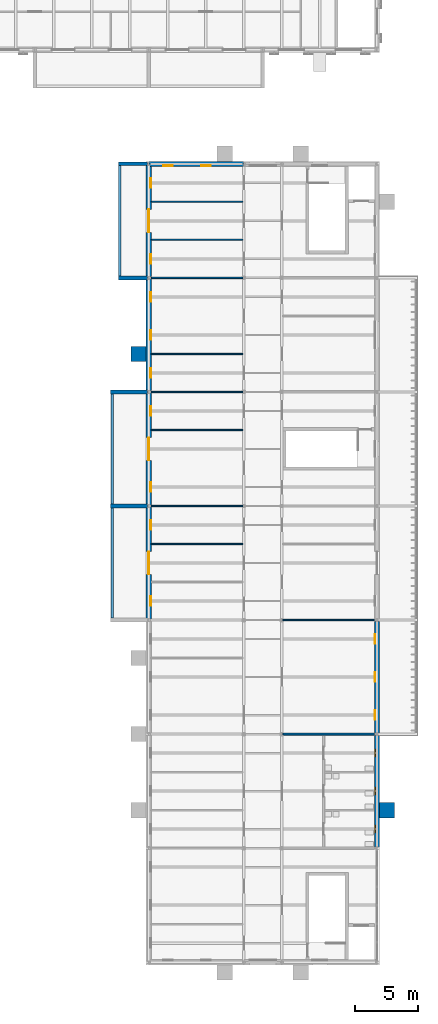
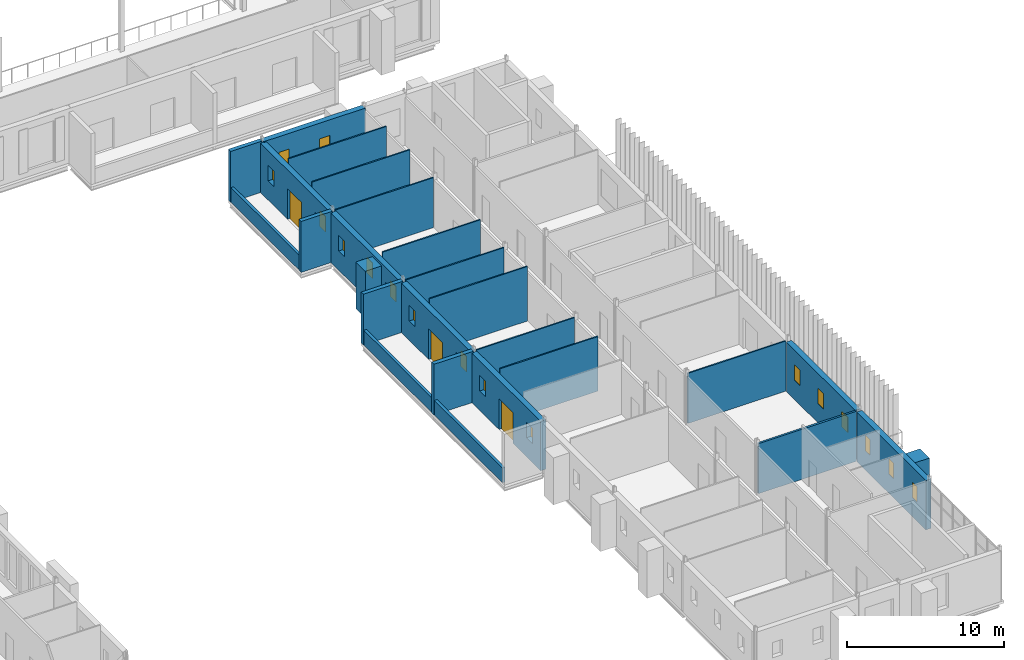
# One storey, part 91 of 131: 26 walls, 17 windows, 3 doors, 20 openings.
"""IFC4 building model written with IfcOpenShell, lengths in metres."""

from ifc_helpers import new_model, si_unit, direction, frame, frame_2d, origin, place, context, subcontext, project, spatial, rectangle, extrude, material, layer, layer_set, type_object, element, fill, save


model = new_model("IFC4")

# Units and contexts
model_context = context("Model", 3, precision=1e-05, world=origin(), true_north=direction((0.0, 1.0)))
body_context = subcontext(model_context, "Body", "Model", "MODEL_VIEW")
ifc_project = project(units=[si_unit("LENGTHUNIT", "METRE"), si_unit("AREAUNIT", "SQUARE_METRE"), si_unit("VOLUMEUNIT", "CUBIC_METRE"), si_unit("PLANEANGLEUNIT", "RADIAN"), si_unit("MASSUNIT", "GRAM", prefix="KILO")], contexts=[model_context])

# Site, building, storey
site_placement = place(None, origin())
site = spatial("IfcSite", under=ifc_project, at=site_placement, CompositionType="ELEMENT")
building_placement = place(site_placement, origin())
building = spatial("IfcBuilding", under=site, at=building_placement, Name="Golden Quay Civic Hall", CompositionType="ELEMENT")
storey_placement = place(building_placement, frame((0.0, 0.0, 9.89990234375)))
storey = spatial("IfcBuildingStorey", under=building, at=storey_placement, Name="L02", CompositionType="ELEMENT", Elevation=9.89990234375)

# Walls
ifc_material_1 = material(Name="Brick, dark clay facing", Category="masonry")
ifc_layer_1 = layer(ifc_material_1, 0.199951171875)
ifc_layer_set_1 = layer_set([ifc_layer_1], Name="Brick balustrade wall 200")
wall_type_1 = type_object("IfcWallType", Name="Brick balustrade wall 200", PredefinedType="STANDARD", material=ifc_layer_set_1)
for number, where, z_axis, x_axis, name in (
    (1, (150.1201171875, 18.14990234375, 0.0), (0.0, 0.0, 1.0), (0.0, 1.0, 0.0), "Brick balustrade wall 200 L02 4"),
    (2, (150.1201171875, 27.14990234375, 0.0), (0.0, 0.0, 1.0), (0.0, 1.0, 0.0), "Brick balustrade wall 200 L02 5"),
    (3, (150.719970703125, 45.14990234375, 0.0), (0.0, 0.0, 1.0), (0.0, 1.0, 0.0), "Brick balustrade wall 200 L02 6"),
):
    element("IfcWall", number, at=place(storey_placement, frame(where, z_axis=z_axis, x_axis=x_axis)), inside=storey, type_object=wall_type_1, Name=name, PredefinedType="STANDARD", context=body_context, shape_type="SweptSolid", body=[
        extrude(rectangle(XDim=8.7001953125, YDim=0.199951171875, at=frame_2d((4.35009765625, 0.0))), origin(), (0.0, 0.0, 1.0), 1.150146484375),
    ])

# Wall, openings, windows, door
ifc_material_2 = material(Name="Brick, dark clay facing", Category="masonry")
ifc_layer_2 = layer(ifc_material_2, 0.39990234375)
ifc_layer_set_2 = layer_set([ifc_layer_2], Name="Brick external wall 400")
wall_type_2 = type_object("IfcWallType", Name="Brick external wall 400", PredefinedType="STANDARD", material=ifc_layer_set_2)
wall_1_placement = place(storey_placement, frame((153.0, 18.094970703125, 0.0), z_axis=(0.0, 0.0, 1.0), x_axis=(0.0, 1.0, 0.0)))
wall_1 = element("IfcWall", 4, at=wall_1_placement, inside=storey, type_object=wall_type_2, Name="Brick external wall 400 L02 14", PredefinedType="STANDARD", context=body_context, shape_type="SweptSolid", body=[
    extrude(rectangle(XDim=8.81005859375, YDim=0.39990234375, at=frame_2d((4.405029296875, 0.0))), origin(), (0.0, 0.0, 1.0), 3.85009765625),
])
opening_1_placement = place(wall_1_placement, frame((3.5048828125, 0.0, 0.0)))
opening_1 = element("IfcOpeningElement", 5, at=opening_1_placement, cuts=wall_1, Name="Opening L02-D004", PredefinedType="OPENING", context=body_context, shape_type="SweptSolid", body=[
    extrude(rectangle(XDim=1.800048828125, YDim=2.39990234375, at=frame_2d((0.89990234375, 1.199951171875))), frame((0.0, 0.2099609375, 0.0), z_axis=(0.0, -1.0, 0.0), x_axis=(1.0, 0.0, 0.0)), (0.0, 0.0, 1.0), 0.419921875),
])
opening_2_placement = place(wall_1_placement, frame((1.030029296875, 0.0, 1.5)))
opening_2 = element("IfcOpeningElement", 6, at=opening_2_placement, cuts=wall_1, Name="Opening WN11", PredefinedType="OPENING", context=body_context, shape_type="SweptSolid", body=[
    extrude(rectangle(XDim=0.75, YDim=1.199951171875, at=frame_2d((0.375, 0.60009765625))), frame((0.0, 0.2099609375, 0.0), z_axis=(0.0, -1.0, 0.0), x_axis=(1.0, 0.0, 0.0)), (0.0, 0.0, 1.0), 0.419921875),
])
opening_3_placement = place(wall_1_placement, frame((7.030029296875, 0.0, 1.5)))
opening_3 = element("IfcOpeningElement", 7, at=opening_3_placement, cuts=wall_1, Name="Opening WN11", PredefinedType="OPENING", context=body_context, shape_type="SweptSolid", body=[
    extrude(rectangle(XDim=0.75, YDim=1.199951171875, at=frame_2d((0.375, 0.60009765625))), frame((0.0, 0.2099609375, 0.0), z_axis=(0.0, -1.0, 0.0), x_axis=(1.0, 0.0, 0.0)), (0.0, 0.0, 1.0), 0.419921875),
])
ifc_material_3 = material(Name="Aluminium frame, double glazed", Category="aluminium")
window_type_1 = type_object("IfcWindowType", Name="Attic pair window 750 x 1200", PartitioningType="SINGLE_PANEL", PredefinedType="WINDOW", material=ifc_material_3)
window_1_placement = place(opening_2_placement, origin())
window_1 = element("IfcWindow", 8, at=window_1_placement, inside=storey, type_object=window_type_1, Name="Attic pair window 750 x 1200 L02 10", OverallHeight=1.199951171875, OverallWidth=0.75, PartitioningType="SINGLE_PANEL", PredefinedType="WINDOW", context=body_context, shape_type="SweptSolid", body=[
    extrude(rectangle(XDim=0.75, YDim=1.199951171875, at=frame_2d((0.375, 0.60009765625))), frame((0.0, -0.119873046875, 0.0), z_axis=(0.0, -1.0, 0.0), x_axis=(1.0, 0.0, 0.0)), (0.0, 0.0, 1.0), 0.06005859375),
])
fill(opening_2, window_1)
window_2_placement = place(opening_3_placement, origin())
window_2 = element("IfcWindow", 9, at=window_2_placement, inside=storey, type_object=window_type_1, Name="Attic pair window 750 x 1200 L02 11", OverallHeight=1.199951171875, OverallWidth=0.75, PartitioningType="SINGLE_PANEL", PredefinedType="WINDOW", context=body_context, shape_type="SweptSolid", body=[
    extrude(rectangle(XDim=0.75, YDim=1.199951171875, at=frame_2d((0.375, 0.60009765625))), frame((0.0, -0.119873046875, 0.0), z_axis=(0.0, -1.0, 0.0), x_axis=(1.0, 0.0, 0.0)), (0.0, 0.0, 1.0), 0.06005859375),
])
fill(opening_3, window_2)
ifc_material_4 = material(Name="Aluminium frame, glazed", Category="aluminium")
door_type = type_object("IfcDoorType", Name="Glazed double terrace door 1800 x 2400", OperationType="DOUBLE_DOOR_SINGLE_SWING", PredefinedType="DOOR", material=ifc_material_4)
door_1_placement = place(opening_1_placement, origin())
door_1 = element("IfcDoor", 10, at=door_1_placement, inside=storey, type_object=door_type, Name="Door L02-D004", OperationType="DOUBLE_DOOR_SINGLE_SWING", OverallHeight=2.39990234375, OverallWidth=1.800048828125, PredefinedType="DOOR", context=body_context, shape_type="SweptSolid", body=[
    extrude(rectangle(XDim=1.800048828125, YDim=2.39990234375, at=frame_2d((0.89990234375, 1.199951171875))), frame((0.0, 0.02490234375, 0.0), z_axis=(0.0, -1.0, 0.0), x_axis=(1.0, 0.0, 0.0)), (0.0, 0.0, 1.0), 0.050048828125),
])
fill(opening_1, door_1)

wall_2_placement = place(storey_placement, frame((153.0, 27.094970703125, 0.0), z_axis=(0.0, 0.0, 1.0), x_axis=(0.0, 1.0, 0.0)))
wall_2 = element("IfcWall", 11, at=wall_2_placement, inside=storey, type_object=wall_type_2, Name="Brick external wall 400 L02 15", PredefinedType="STANDARD", context=body_context, shape_type="SweptSolid", body=[
    extrude(rectangle(XDim=8.81005859375, YDim=0.39990234375, at=frame_2d((4.405029296875, 0.0))), origin(), (0.0, 0.0, 1.0), 3.85009765625),
])
opening_4_placement = place(wall_2_placement, frame((3.5048828125, 0.0, 0.0)))
opening_4 = element("IfcOpeningElement", 12, at=opening_4_placement, cuts=wall_2, Name="Opening L02-D005", PredefinedType="OPENING", context=body_context, shape_type="SweptSolid", body=[
    extrude(rectangle(XDim=1.800048828125, YDim=2.39990234375, at=frame_2d((0.89990234375, 1.199951171875))), frame((0.0, 0.2099609375, 0.0), z_axis=(0.0, -1.0, 0.0), x_axis=(1.0, 0.0, 0.0)), (0.0, 0.0, 1.0), 0.419921875),
])
opening_5_placement = place(wall_2_placement, frame((1.030029296875, 0.0, 1.5)))
opening_5 = element("IfcOpeningElement", 13, at=opening_5_placement, cuts=wall_2, Name="Opening WN11", PredefinedType="OPENING", context=body_context, shape_type="SweptSolid", body=[
    extrude(rectangle(XDim=0.75, YDim=1.199951171875, at=frame_2d((0.375, 0.60009765625))), frame((0.0, 0.2099609375, 0.0), z_axis=(0.0, -1.0, 0.0), x_axis=(1.0, 0.0, 0.0)), (0.0, 0.0, 1.0), 0.419921875),
])
opening_6_placement = place(wall_2_placement, frame((7.030029296875, 0.0, 1.5)))
opening_6 = element("IfcOpeningElement", 14, at=opening_6_placement, cuts=wall_2, Name="Opening WN11", PredefinedType="OPENING", context=body_context, shape_type="SweptSolid", body=[
    extrude(rectangle(XDim=0.75, YDim=1.199951171875, at=frame_2d((0.375, 0.60009765625))), frame((0.0, 0.2099609375, 0.0), z_axis=(0.0, -1.0, 0.0), x_axis=(1.0, 0.0, 0.0)), (0.0, 0.0, 1.0), 0.419921875),
])
window_3_placement = place(opening_5_placement, origin())
window_3 = element("IfcWindow", 15, at=window_3_placement, inside=storey, type_object=window_type_1, Name="Attic pair window 750 x 1200 L02 12", OverallHeight=1.199951171875, OverallWidth=0.75, PartitioningType="SINGLE_PANEL", PredefinedType="WINDOW", context=body_context, shape_type="SweptSolid", body=[
    extrude(rectangle(XDim=0.75, YDim=1.199951171875, at=frame_2d((0.375, 0.60009765625))), frame((0.0, -0.119873046875, 0.0), z_axis=(0.0, -1.0, 0.0), x_axis=(1.0, 0.0, 0.0)), (0.0, 0.0, 1.0), 0.06005859375),
])
fill(opening_5, window_3)
window_4_placement = place(opening_6_placement, origin())
window_4 = element("IfcWindow", 16, at=window_4_placement, inside=storey, type_object=window_type_1, Name="Attic pair window 750 x 1200 L02 13", OverallHeight=1.199951171875, OverallWidth=0.75, PartitioningType="SINGLE_PANEL", PredefinedType="WINDOW", context=body_context, shape_type="SweptSolid", body=[
    extrude(rectangle(XDim=0.75, YDim=1.199951171875, at=frame_2d((0.375, 0.60009765625))), frame((0.0, -0.119873046875, 0.0), z_axis=(0.0, -1.0, 0.0), x_axis=(1.0, 0.0, 0.0)), (0.0, 0.0, 1.0), 0.06005859375),
])
fill(opening_6, window_4)
door_2_placement = place(opening_4_placement, origin())
door_2 = element("IfcDoor", 17, at=door_2_placement, inside=storey, type_object=door_type, Name="Door L02-D005", OperationType="DOUBLE_DOOR_SINGLE_SWING", OverallHeight=2.39990234375, OverallWidth=1.800048828125, PredefinedType="DOOR", context=body_context, shape_type="SweptSolid", body=[
    extrude(rectangle(XDim=1.800048828125, YDim=2.39990234375, at=frame_2d((0.89990234375, 1.199951171875))), frame((0.0, 0.02490234375, 0.0), z_axis=(0.0, -1.0, 0.0), x_axis=(1.0, 0.0, 0.0)), (0.0, 0.0, 1.0), 0.050048828125),
])
fill(opening_4, door_2)

# Wall, openings, windows
wall_3_placement = place(storey_placement, frame((153.0, 36.094970703125, 0.0), z_axis=(0.0, 0.0, 1.0), x_axis=(0.0, 1.0, 0.0)))
wall_3 = element("IfcWall", 18, at=wall_3_placement, inside=storey, type_object=wall_type_2, Name="Brick external wall 400 L02 16", PredefinedType="STANDARD", context=body_context, shape_type="SweptSolid", body=[
    extrude(rectangle(XDim=8.81005859375, YDim=0.39990234375, at=frame_2d((4.405029296875, 0.0))), origin(), (0.0, 0.0, 1.0), 3.85009765625),
])
opening_7_placement = place(wall_3_placement, frame((1.030029296875, 0.0, 1.5)))
opening_7 = element("IfcOpeningElement", 19, at=opening_7_placement, cuts=wall_3, Name="Opening WN11", PredefinedType="OPENING", context=body_context, shape_type="SweptSolid", body=[
    extrude(rectangle(XDim=0.75, YDim=1.199951171875, at=frame_2d((0.375, 0.60009765625))), frame((0.0, 0.2099609375, 0.0), z_axis=(0.0, -1.0, 0.0), x_axis=(1.0, 0.0, 0.0)), (0.0, 0.0, 1.0), 0.419921875),
])
opening_8_placement = place(wall_3_placement, frame((4.030029296875, 0.0, 1.5)))
opening_8 = element("IfcOpeningElement", 20, at=opening_8_placement, cuts=wall_3, Name="Opening WN11", PredefinedType="OPENING", context=body_context, shape_type="SweptSolid", body=[
    extrude(rectangle(XDim=0.75, YDim=1.199951171875, at=frame_2d((0.375, 0.60009765625))), frame((0.0, 0.2099609375, 0.0), z_axis=(0.0, -1.0, 0.0), x_axis=(1.0, 0.0, 0.0)), (0.0, 0.0, 1.0), 0.419921875),
])
opening_9_placement = place(wall_3_placement, frame((7.030029296875, 0.0, 1.5)))
opening_9 = element("IfcOpeningElement", 21, at=opening_9_placement, cuts=wall_3, Name="Opening WN11", PredefinedType="OPENING", context=body_context, shape_type="SweptSolid", body=[
    extrude(rectangle(XDim=0.75, YDim=1.199951171875, at=frame_2d((0.375, 0.60009765625))), frame((0.0, 0.2099609375, 0.0), z_axis=(0.0, -1.0, 0.0), x_axis=(1.0, 0.0, 0.0)), (0.0, 0.0, 1.0), 0.419921875),
])
window_5_placement = place(opening_7_placement, origin())
window_5 = element("IfcWindow", 22, at=window_5_placement, inside=storey, type_object=window_type_1, Name="Attic pair window 750 x 1200 L02 14", OverallHeight=1.199951171875, OverallWidth=0.75, PartitioningType="SINGLE_PANEL", PredefinedType="WINDOW", context=body_context, shape_type="SweptSolid", body=[
    extrude(rectangle(XDim=0.75, YDim=1.199951171875, at=frame_2d((0.375, 0.60009765625))), frame((0.0, -0.119873046875, 0.0), z_axis=(0.0, -1.0, 0.0), x_axis=(1.0, 0.0, 0.0)), (0.0, 0.0, 1.0), 0.06005859375),
])
fill(opening_7, window_5)
window_6_placement = place(opening_8_placement, origin())
window_6 = element("IfcWindow", 23, at=window_6_placement, inside=storey, type_object=window_type_1, Name="Attic pair window 750 x 1200 L02 15", OverallHeight=1.199951171875, OverallWidth=0.75, PartitioningType="SINGLE_PANEL", PredefinedType="WINDOW", context=body_context, shape_type="SweptSolid", body=[
    extrude(rectangle(XDim=0.75, YDim=1.199951171875, at=frame_2d((0.375, 0.60009765625))), frame((0.0, -0.119873046875, 0.0), z_axis=(0.0, -1.0, 0.0), x_axis=(1.0, 0.0, 0.0)), (0.0, 0.0, 1.0), 0.06005859375),
])
fill(opening_8, window_6)
window_7_placement = place(opening_9_placement, origin())
window_7 = element("IfcWindow", 24, at=window_7_placement, inside=storey, type_object=window_type_1, Name="Attic pair window 750 x 1200 L02 16", OverallHeight=1.199951171875, OverallWidth=0.75, PartitioningType="SINGLE_PANEL", PredefinedType="WINDOW", context=body_context, shape_type="SweptSolid", body=[
    extrude(rectangle(XDim=0.75, YDim=1.199951171875, at=frame_2d((0.375, 0.60009765625))), frame((0.0, -0.119873046875, 0.0), z_axis=(0.0, -1.0, 0.0), x_axis=(1.0, 0.0, 0.0)), (0.0, 0.0, 1.0), 0.06005859375),
])
fill(opening_9, window_7)

# Wall, openings, windows, door
wall_4_placement = place(storey_placement, frame((153.0, 45.094970703125, 0.0), z_axis=(0.0, 0.0, 1.0), x_axis=(0.0, 1.0, 0.0)))
wall_4 = element("IfcWall", 25, at=wall_4_placement, inside=storey, type_object=wall_type_2, Name="Brick external wall 400 L02 17", PredefinedType="STANDARD", context=body_context, shape_type="SweptSolid", body=[
    extrude(rectangle(XDim=8.81005859375, YDim=0.39990234375, at=frame_2d((4.405029296875, 0.0))), origin(), (0.0, 0.0, 1.0), 3.85009765625),
])
opening_10_placement = place(wall_4_placement, frame((3.5048828125, 0.0, 0.0)))
opening_10 = element("IfcOpeningElement", 26, at=opening_10_placement, cuts=wall_4, Name="Opening L02-D006", PredefinedType="OPENING", context=body_context, shape_type="SweptSolid", body=[
    extrude(rectangle(XDim=1.800048828125, YDim=2.39990234375, at=frame_2d((0.89990234375, 1.199951171875))), frame((0.0, 0.2099609375, 0.0), z_axis=(0.0, -1.0, 0.0), x_axis=(1.0, 0.0, 0.0)), (0.0, 0.0, 1.0), 0.419921875),
])
opening_11_placement = place(wall_4_placement, frame((1.030029296875, 0.0, 1.5)))
opening_11 = element("IfcOpeningElement", 27, at=opening_11_placement, cuts=wall_4, Name="Opening WN11", PredefinedType="OPENING", context=body_context, shape_type="SweptSolid", body=[
    extrude(rectangle(XDim=0.75, YDim=1.199951171875, at=frame_2d((0.375, 0.60009765625))), frame((0.0, 0.2099609375, 0.0), z_axis=(0.0, -1.0, 0.0), x_axis=(1.0, 0.0, 0.0)), (0.0, 0.0, 1.0), 0.419921875),
])
opening_12_placement = place(wall_4_placement, frame((7.030029296875, 0.0, 1.5)))
opening_12 = element("IfcOpeningElement", 28, at=opening_12_placement, cuts=wall_4, Name="Opening WN11", PredefinedType="OPENING", context=body_context, shape_type="SweptSolid", body=[
    extrude(rectangle(XDim=0.75, YDim=1.199951171875, at=frame_2d((0.375, 0.60009765625))), frame((0.0, 0.2099609375, 0.0), z_axis=(0.0, -1.0, 0.0), x_axis=(1.0, 0.0, 0.0)), (0.0, 0.0, 1.0), 0.419921875),
])
window_8_placement = place(opening_11_placement, origin())
window_8 = element("IfcWindow", 29, at=window_8_placement, inside=storey, type_object=window_type_1, Name="Attic pair window 750 x 1200 L02 17", OverallHeight=1.199951171875, OverallWidth=0.75, PartitioningType="SINGLE_PANEL", PredefinedType="WINDOW", context=body_context, shape_type="SweptSolid", body=[
    extrude(rectangle(XDim=0.75, YDim=1.199951171875, at=frame_2d((0.375, 0.60009765625))), frame((0.0, -0.119873046875, 0.0), z_axis=(0.0, -1.0, 0.0), x_axis=(1.0, 0.0, 0.0)), (0.0, 0.0, 1.0), 0.06005859375),
])
fill(opening_11, window_8)
window_9_placement = place(opening_12_placement, origin())
window_9 = element("IfcWindow", 30, at=window_9_placement, inside=storey, type_object=window_type_1, Name="Attic pair window 750 x 1200 L02 18", OverallHeight=1.199951171875, OverallWidth=0.75, PartitioningType="SINGLE_PANEL", PredefinedType="WINDOW", context=body_context, shape_type="SweptSolid", body=[
    extrude(rectangle(XDim=0.75, YDim=1.199951171875, at=frame_2d((0.375, 0.60009765625))), frame((0.0, -0.119873046875, 0.0), z_axis=(0.0, -1.0, 0.0), x_axis=(1.0, 0.0, 0.0)), (0.0, 0.0, 1.0), 0.06005859375),
])
fill(opening_12, window_9)
door_3_placement = place(opening_10_placement, origin())
door_3 = element("IfcDoor", 31, at=door_3_placement, inside=storey, type_object=door_type, Name="Door L02-D006", OperationType="DOUBLE_DOOR_SINGLE_SWING", OverallHeight=2.39990234375, OverallWidth=1.800048828125, PredefinedType="DOOR", context=body_context, shape_type="SweptSolid", body=[
    extrude(rectangle(XDim=1.800048828125, YDim=2.39990234375, at=frame_2d((0.89990234375, 1.199951171875))), frame((0.0, 0.02490234375, 0.0), z_axis=(0.0, -1.0, 0.0), x_axis=(1.0, 0.0, 0.0)), (0.0, 0.0, 1.0), 0.050048828125),
])
fill(opening_10, door_3)

# Wall, openings, windows
wall_5_placement = place(storey_placement, frame((153.00830078125, 54.0, 0.0), z_axis=(0.0, 0.0, 1.0), x_axis=(1.0, 0.0, 0.0)))
wall_5 = element("IfcWall", 32, at=wall_5_placement, inside=storey, type_object=wall_type_2, Name="Brick external wall 400 L02 18", PredefinedType="STANDARD", context=body_context, shape_type="SweptSolid", body=[
    extrude(rectangle(XDim=7.4833984375, YDim=0.39990234375, at=frame_2d((3.74169921875, 0.0))), origin(), (0.0, 0.0, 1.0), 3.920166015625),
])
opening_13_placement = place(wall_5_placement, frame((1.11669921875, 0.0, 1.5)))
opening_13 = element("IfcOpeningElement", 33, at=opening_13_placement, cuts=wall_5, Name="Opening WN11", PredefinedType="OPENING", context=body_context, shape_type="SweptSolid", body=[
    extrude(rectangle(XDim=0.75, YDim=1.199951171875, at=frame_2d((0.375, 0.60009765625))), frame((0.0, 0.2099609375, 0.0), z_axis=(0.0, -1.0, 0.0), x_axis=(1.0, 0.0, 0.0)), (0.0, 0.0, 1.0), 0.419921875),
])
opening_14_placement = place(wall_5_placement, frame((4.11669921875, 0.0, 1.5)))
opening_14 = element("IfcOpeningElement", 34, at=opening_14_placement, cuts=wall_5, Name="Opening WN11", PredefinedType="OPENING", context=body_context, shape_type="SweptSolid", body=[
    extrude(rectangle(XDim=0.75, YDim=1.199951171875, at=frame_2d((0.375, 0.60009765625))), frame((0.0, 0.2099609375, 0.0), z_axis=(0.0, -1.0, 0.0), x_axis=(1.0, 0.0, 0.0)), (0.0, 0.0, 1.0), 0.419921875),
])
window_10_placement = place(opening_13_placement, origin())
window_10 = element("IfcWindow", 35, at=window_10_placement, inside=storey, type_object=window_type_1, Name="Attic pair window 750 x 1200 L02 19", OverallHeight=1.199951171875, OverallWidth=0.75, PartitioningType="SINGLE_PANEL", PredefinedType="WINDOW", context=body_context, shape_type="SweptSolid", body=[
    extrude(rectangle(XDim=0.75, YDim=1.199951171875, at=frame_2d((0.375, 0.60009765625))), frame((0.0, -0.119873046875, 0.0), z_axis=(0.0, -1.0, 0.0), x_axis=(1.0, 0.0, 0.0)), (0.0, 0.0, 1.0), 0.06005859375),
])
fill(opening_13, window_10)
window_11_placement = place(opening_14_placement, origin())
window_11 = element("IfcWindow", 36, at=window_11_placement, inside=storey, type_object=window_type_1, Name="Attic pair window 750 x 1200 L02 20", OverallHeight=1.199951171875, OverallWidth=0.75, PartitioningType="SINGLE_PANEL", PredefinedType="WINDOW", context=body_context, shape_type="SweptSolid", body=[
    extrude(rectangle(XDim=0.75, YDim=1.199951171875, at=frame_2d((0.375, 0.60009765625))), frame((0.0, -0.119873046875, 0.0), z_axis=(0.0, -1.0, 0.0), x_axis=(1.0, 0.0, 0.0)), (0.0, 0.0, 1.0), 0.06005859375),
])
fill(opening_14, window_11)

wall_6_placement = place(storey_placement, frame((171.0, 8.905029296875, 0.0), z_axis=(0.0, 0.0, 1.0), x_axis=(0.0, -1.0, 0.0)))
wall_6 = element("IfcWall", 37, at=wall_6_placement, inside=storey, type_object=wall_type_2, Name="Brick external wall 400 L02 20", PredefinedType="STANDARD", context=body_context, shape_type="SweptSolid", body=[
    extrude(rectangle(XDim=8.81005859375, YDim=0.39990234375, at=frame_2d((4.405029296875, 0.0))), origin(), (0.0, 0.0, 1.0), 3.85009765625),
])
opening_15_placement = place(wall_6_placement, frame((7.10498046875, 0.0, 1.5)))
opening_15 = element("IfcOpeningElement", 38, at=opening_15_placement, cuts=wall_6, Name="Opening WN1", PredefinedType="OPENING", context=body_context, shape_type="SweptSolid", body=[
    extrude(rectangle(XDim=0.60009765625, YDim=1.199951171875, at=frame_2d((0.300048828125, 0.60009765625))), frame((0.0, 0.2099609375, 0.0), z_axis=(0.0, -1.0, 0.0), x_axis=(1.0, 0.0, 0.0)), (0.0, 0.0, 1.0), 0.419921875),
])
opening_16_placement = place(wall_6_placement, frame((4.10498046875, 0.0, 1.5)))
opening_16 = element("IfcOpeningElement", 39, at=opening_16_placement, cuts=wall_6, Name="Opening WN1", PredefinedType="OPENING", context=body_context, shape_type="SweptSolid", body=[
    extrude(rectangle(XDim=0.60009765625, YDim=1.199951171875, at=frame_2d((0.300048828125, 0.60009765625))), frame((0.0, 0.2099609375, 0.0), z_axis=(0.0, -1.0, 0.0), x_axis=(1.0, 0.0, 0.0)), (0.0, 0.0, 1.0), 0.419921875),
])
opening_17_placement = place(wall_6_placement, frame((1.10498046875, 0.0, 1.5)))
opening_17 = element("IfcOpeningElement", 40, at=opening_17_placement, cuts=wall_6, Name="Opening WN1", PredefinedType="OPENING", context=body_context, shape_type="SweptSolid", body=[
    extrude(rectangle(XDim=0.60009765625, YDim=1.199951171875, at=frame_2d((0.300048828125, 0.60009765625))), frame((0.0, 0.2099609375, 0.0), z_axis=(0.0, -1.0, 0.0), x_axis=(1.0, 0.0, 0.0)), (0.0, 0.0, 1.0), 0.419921875),
])
ifc_material_5 = material(Name="Aluminium frame, double glazed", Category="aluminium")
window_type_2 = type_object("IfcWindowType", Name="WC window 600 x 1200", PartitioningType="SINGLE_PANEL", PredefinedType="WINDOW", material=ifc_material_5)
window_12_placement = place(opening_15_placement, origin())
window_12 = element("IfcWindow", 41, at=window_12_placement, inside=storey, type_object=window_type_2, Name="WC window 600 x 1200 L02 16", OverallHeight=1.199951171875, OverallWidth=0.60009765625, PartitioningType="SINGLE_PANEL", PredefinedType="WINDOW", context=body_context, shape_type="SweptSolid", body=[
    extrude(rectangle(XDim=0.60009765625, YDim=1.199951171875, at=frame_2d((0.300048828125, 0.60009765625))), frame((0.0, -0.119873046875, 0.0), z_axis=(0.0, -1.0, 0.0), x_axis=(1.0, 0.0, 0.0)), (0.0, 0.0, 1.0), 0.06005859375),
])
fill(opening_15, window_12)
window_13_placement = place(opening_16_placement, origin())
window_13 = element("IfcWindow", 42, at=window_13_placement, inside=storey, type_object=window_type_2, Name="WC window 600 x 1200 L02 17", OverallHeight=1.199951171875, OverallWidth=0.60009765625, PartitioningType="SINGLE_PANEL", PredefinedType="WINDOW", context=body_context, shape_type="SweptSolid", body=[
    extrude(rectangle(XDim=0.60009765625, YDim=1.199951171875, at=frame_2d((0.300048828125, 0.60009765625))), frame((0.0, -0.119873046875, 0.0), z_axis=(0.0, -1.0, 0.0), x_axis=(1.0, 0.0, 0.0)), (0.0, 0.0, 1.0), 0.06005859375),
])
fill(opening_16, window_13)
window_14_placement = place(opening_17_placement, origin())
window_14 = element("IfcWindow", 43, at=window_14_placement, inside=storey, type_object=window_type_2, Name="WC window 600 x 1200 L02 18", OverallHeight=1.199951171875, OverallWidth=0.60009765625, PartitioningType="SINGLE_PANEL", PredefinedType="WINDOW", context=body_context, shape_type="SweptSolid", body=[
    extrude(rectangle(XDim=0.60009765625, YDim=1.199951171875, at=frame_2d((0.300048828125, 0.60009765625))), frame((0.0, -0.119873046875, 0.0), z_axis=(0.0, -1.0, 0.0), x_axis=(1.0, 0.0, 0.0)), (0.0, 0.0, 1.0), 0.06005859375),
])
fill(opening_17, window_14)

wall_7_placement = place(storey_placement, frame((171.0, 17.905029296875, 0.0), z_axis=(0.0, 0.0, 1.0), x_axis=(0.0, -1.0, 0.0)))
wall_7 = element("IfcWall", 44, at=wall_7_placement, inside=storey, type_object=wall_type_2, Name="Brick external wall 400 L02 21", PredefinedType="STANDARD", context=body_context, shape_type="SweptSolid", body=[
    extrude(rectangle(XDim=8.81005859375, YDim=0.39990234375, at=frame_2d((4.405029296875, 0.0))), origin(), (0.0, 0.0, 1.0), 3.85009765625),
])
opening_18_placement = place(wall_7_placement, frame((7.030029296875, 0.0, 1.5)))
opening_18 = element("IfcOpeningElement", 45, at=opening_18_placement, cuts=wall_7, Name="Opening WN11", PredefinedType="OPENING", context=body_context, shape_type="SweptSolid", body=[
    extrude(rectangle(XDim=0.75, YDim=1.199951171875, at=frame_2d((0.375, 0.60009765625))), frame((0.0, 0.2099609375, 0.0), z_axis=(0.0, -1.0, 0.0), x_axis=(1.0, 0.0, 0.0)), (0.0, 0.0, 1.0), 0.419921875),
])
opening_19_placement = place(wall_7_placement, frame((4.030029296875, 0.0, 1.5)))
opening_19 = element("IfcOpeningElement", 46, at=opening_19_placement, cuts=wall_7, Name="Opening WN11", PredefinedType="OPENING", context=body_context, shape_type="SweptSolid", body=[
    extrude(rectangle(XDim=0.75, YDim=1.199951171875, at=frame_2d((0.375, 0.60009765625))), frame((0.0, 0.2099609375, 0.0), z_axis=(0.0, -1.0, 0.0), x_axis=(1.0, 0.0, 0.0)), (0.0, 0.0, 1.0), 0.419921875),
])
opening_20_placement = place(wall_7_placement, frame((1.030029296875, 0.0, 1.5)))
opening_20 = element("IfcOpeningElement", 47, at=opening_20_placement, cuts=wall_7, Name="Opening WN11", PredefinedType="OPENING", context=body_context, shape_type="SweptSolid", body=[
    extrude(rectangle(XDim=0.75, YDim=1.199951171875, at=frame_2d((0.375, 0.60009765625))), frame((0.0, 0.2099609375, 0.0), z_axis=(0.0, -1.0, 0.0), x_axis=(1.0, 0.0, 0.0)), (0.0, 0.0, 1.0), 0.419921875),
])
window_15_placement = place(opening_18_placement, origin())
window_15 = element("IfcWindow", 48, at=window_15_placement, inside=storey, type_object=window_type_1, Name="Attic pair window 750 x 1200 L02 21", OverallHeight=1.199951171875, OverallWidth=0.75, PartitioningType="SINGLE_PANEL", PredefinedType="WINDOW", context=body_context, shape_type="SweptSolid", body=[
    extrude(rectangle(XDim=0.75, YDim=1.199951171875, at=frame_2d((0.375, 0.60009765625))), frame((0.0, -0.119873046875, 0.0), z_axis=(0.0, -1.0, 0.0), x_axis=(1.0, 0.0, 0.0)), (0.0, 0.0, 1.0), 0.06005859375),
])
fill(opening_18, window_15)
window_16_placement = place(opening_19_placement, origin())
window_16 = element("IfcWindow", 49, at=window_16_placement, inside=storey, type_object=window_type_1, Name="Attic pair window 750 x 1200 L02 22", OverallHeight=1.199951171875, OverallWidth=0.75, PartitioningType="SINGLE_PANEL", PredefinedType="WINDOW", context=body_context, shape_type="SweptSolid", body=[
    extrude(rectangle(XDim=0.75, YDim=1.199951171875, at=frame_2d((0.375, 0.60009765625))), frame((0.0, -0.119873046875, 0.0), z_axis=(0.0, -1.0, 0.0), x_axis=(1.0, 0.0, 0.0)), (0.0, 0.0, 1.0), 0.06005859375),
])
fill(opening_19, window_16)
window_17_placement = place(opening_20_placement, origin())
window_17 = element("IfcWindow", 50, at=window_17_placement, inside=storey, type_object=window_type_1, Name="Attic pair window 750 x 1200 L02 23", OverallHeight=1.199951171875, OverallWidth=0.75, PartitioningType="SINGLE_PANEL", PredefinedType="WINDOW", context=body_context, shape_type="SweptSolid", body=[
    extrude(rectangle(XDim=0.75, YDim=1.199951171875, at=frame_2d((0.375, 0.60009765625))), frame((0.0, -0.119873046875, 0.0), z_axis=(0.0, -1.0, 0.0), x_axis=(1.0, 0.0, 0.0)), (0.0, 0.0, 1.0), 0.06005859375),
])
fill(opening_20, window_17)

# Walls
ifc_material_6 = material(Name="Brick, dark clay facing", Category="masonry")
ifc_layer_3 = layer(ifc_material_6, 0.300048828125)
ifc_layer_set_3 = layer_set([ifc_layer_3], Name="Brick loggia wall 300")
wall_type_3 = type_object("IfcWallType", Name="Brick loggia wall 300", PredefinedType="STANDARD", material=ifc_layer_set_3)
for number, where, z_axis, x_axis, name in (
    (51, (152.89990234375, 27.0, 0.0), (0.0, 0.0, 1.0), (-1.0, 0.0, 0.0), "Brick loggia wall 300 L02 7"),
    (52, (152.89990234375, 36.0, 0.0), (0.0, 0.0, 1.0), (-1.0, 0.0, 0.0), "Brick loggia wall 300 L02 8"),
):
    element("IfcWall", number, at=place(storey_placement, frame(where, z_axis=z_axis, x_axis=x_axis)), inside=storey, type_object=wall_type_3, Name=name, PredefinedType="STANDARD", context=body_context, shape_type="SweptSolid", body=[
        extrude(rectangle(XDim=2.89990234375, YDim=0.300048828125, at=frame_2d((1.449951171875, 0.0))), origin(), (0.0, 0.0, 1.0), 3.97021484375),
    ])
for number, where, z_axis, x_axis, name in (
    (53, (152.89990234375, 45.0, 0.0), (0.0, 0.0, 1.0), (-1.0, 0.0, 0.0), "Brick loggia wall 300 L02 9"),
    (54, (152.89990234375, 54.0, 0.0), (0.0, 0.0, 1.0), (-1.0, 0.0, 0.0), "Brick loggia wall 300 L02 10"),
):
    element("IfcWall", number, at=place(storey_placement, frame(where, z_axis=z_axis, x_axis=x_axis)), inside=storey, type_object=wall_type_3, Name=name, PredefinedType="STANDARD", context=body_context, shape_type="SweptSolid", body=[
        extrude(rectangle(XDim=2.2998046875, YDim=0.300048828125, at=frame_2d((1.14990234375, 0.0))), origin(), (0.0, 0.0, 1.0), 3.97021484375),
    ])
ifc_material_7 = material(Name="Brick, dark clay facing", Category="masonry")
ifc_layer_4 = layer(ifc_material_7, 1.199951171875)
ifc_layer_set_4 = layer_set([ifc_layer_4], Name="Brick pilaster 1200 x 1200")
wall_type_4 = type_object("IfcWallType", Name="Brick pilaster 1200 x 1200", PredefinedType="STANDARD", material=ifc_layer_set_4)
for number, where, z_axis, x_axis, name in (
    (55, (152.199951171875, 38.39990234375, 0.0), (0.0, 0.0, 1.0), (0.0, 1.0, 0.0), "Brick pilaster 1200 x 1200 L02 9"),
    (56, (171.800048828125, 2.39990234375, 0.0), (0.0, 0.0, 1.0), (0.0, 1.0, 0.0), "Brick pilaster 1200 x 1200 L02 12"),
):
    element("IfcWall", number, at=place(storey_placement, frame(where, z_axis=z_axis, x_axis=x_axis)), inside=storey, type_object=wall_type_4, Name=name, PredefinedType="STANDARD", context=body_context, shape_type="SweptSolid", body=[
        extrude(rectangle(XDim=1.2001953125, YDim=1.199951171875, at=frame_2d((0.60009765625, 0.0))), origin(), (0.0, 0.0, 1.0), 3.650146484375),
    ])
ifc_material_8 = material(Name="Plasterboard on steel studs", Category="steel")
ifc_layer_5 = layer(ifc_material_8, 0.10009765625)
ifc_layer_set_5 = layer_set([ifc_layer_5], Name="Partition 100 stud")
wall_type_5 = type_object("IfcWallType", Name="Partition 100 stud", PredefinedType="PARTITIONING", material=ifc_layer_set_5)
wall_8_placement = place(storey_placement, frame((163.574951171875, 18.0, 0.0), z_axis=(0.0, 0.0, 1.0), x_axis=(1.0, 0.0, 0.0)))
element("IfcWall", 57, at=wall_8_placement, inside=storey, type_object=wall_type_5, Name="Partition L02-001", PredefinedType="PARTITIONING", context=body_context, shape_type="SweptSolid", body=[
    extrude(rectangle(XDim=7.22509765625, YDim=0.10009765625, at=frame_2d((3.612548828125, 0.0))), origin(), (0.0, 0.0, 1.0), 3.900146484375),
])
wall_9_placement = place(storey_placement, frame((153.199951171875, 24.0, 0.0), z_axis=(0.0, 0.0, 1.0), x_axis=(1.0, 0.0, 0.0)))
element("IfcWall", 58, at=wall_9_placement, inside=storey, type_object=wall_type_5, Name="Partition L02-013", PredefinedType="PARTITIONING", context=body_context, shape_type="SweptSolid", body=[
    extrude(rectangle(XDim=7.22509765625, YDim=0.10009765625, at=frame_2d((3.612548828125, 0.0))), origin(), (0.0, 0.0, 1.0), 4.25),
])
wall_10_placement = place(storey_placement, frame((153.199951171875, 27.0, 0.0), z_axis=(0.0, 0.0, 1.0), x_axis=(1.0, 0.0, 0.0)))
element("IfcWall", 59, at=wall_10_placement, inside=storey, type_object=wall_type_5, Name="Partition L02-014", PredefinedType="PARTITIONING", context=body_context, shape_type="SweptSolid", body=[
    extrude(rectangle(XDim=7.22509765625, YDim=0.10009765625, at=frame_2d((3.612548828125, 0.0))), origin(), (0.0, 0.0, 1.0), 3.900146484375),
])
wall_11_placement = place(storey_placement, frame((153.199951171875, 33.0, 0.0), z_axis=(0.0, 0.0, 1.0), x_axis=(1.0, 0.0, 0.0)))
element("IfcWall", 60, at=wall_11_placement, inside=storey, type_object=wall_type_5, Name="Partition L02-015", PredefinedType="PARTITIONING", context=body_context, shape_type="SweptSolid", body=[
    extrude(rectangle(XDim=7.22509765625, YDim=0.10009765625, at=frame_2d((3.612548828125, 0.0))), origin(), (0.0, 0.0, 1.0), 4.25),
])
wall_12_placement = place(storey_placement, frame((153.199951171875, 36.0, 0.0), z_axis=(0.0, 0.0, 1.0), x_axis=(1.0, 0.0, 0.0)))
element("IfcWall", 61, at=wall_12_placement, inside=storey, type_object=wall_type_5, Name="Partition L02-016", PredefinedType="PARTITIONING", context=body_context, shape_type="SweptSolid", body=[
    extrude(rectangle(XDim=7.22509765625, YDim=0.10009765625, at=frame_2d((3.612548828125, 0.0))), origin(), (0.0, 0.0, 1.0), 3.900146484375),
])
wall_13_placement = place(storey_placement, frame((153.199951171875, 39.0, 0.0), z_axis=(0.0, 0.0, 1.0), x_axis=(1.0, 0.0, 0.0)))
element("IfcWall", 62, at=wall_13_placement, inside=storey, type_object=wall_type_5, Name="Partition L02-017", PredefinedType="PARTITIONING", context=body_context, shape_type="SweptSolid", body=[
    extrude(rectangle(XDim=7.22509765625, YDim=0.10009765625, at=frame_2d((3.612548828125, 0.0))), origin(), (0.0, 0.0, 1.0), 4.25),
])
wall_14_placement = place(storey_placement, frame((153.199951171875, 45.0, 0.0), z_axis=(0.0, 0.0, 1.0), x_axis=(1.0, 0.0, 0.0)))
element("IfcWall", 63, at=wall_14_placement, inside=storey, type_object=wall_type_5, Name="Partition L02-018", PredefinedType="PARTITIONING", context=body_context, shape_type="SweptSolid", body=[
    extrude(rectangle(XDim=7.22509765625, YDim=0.10009765625, at=frame_2d((3.612548828125, 0.0))), origin(), (0.0, 0.0, 1.0), 3.900146484375),
])
for number, where, z_axis, x_axis, name in (
    (64, (153.199951171875, 48.0, 0.0), (0.0, 0.0, 1.0), (1.0, 0.0, 0.0), "Partition L02-019"),
    (65, (153.199951171875, 51.0, 0.0), (0.0, 0.0, 1.0), (1.0, 0.0, 0.0), "Partition L02-020"),
):
    element("IfcWall", number, at=place(storey_placement, frame(where, z_axis=z_axis, x_axis=x_axis)), inside=storey, type_object=wall_type_5, Name=name, PredefinedType="PARTITIONING", context=body_context, shape_type="SweptSolid", body=[
        extrude(rectangle(XDim=7.22509765625, YDim=0.10009765625, at=frame_2d((3.612548828125, 0.0))), origin(), (0.0, 0.0, 1.0), 4.25),
    ])
ifc_material_9 = material(Name="Plasterboard on steel studs", Category="steel")
ifc_layer_6 = layer(ifc_material_9, 0.14990234375)
ifc_layer_set_6 = layer_set([ifc_layer_6], Name="Partition 150 stud fire EI 60")
wall_type_6 = type_object("IfcWallType", Name="Partition 150 stud fire EI 60", PredefinedType="PARTITIONING", material=ifc_layer_set_6)
wall_15_placement = place(storey_placement, frame((163.574951171875, 9.0, 0.0), z_axis=(0.0, 0.0, 1.0), x_axis=(1.0, 0.0, 0.0)))
element("IfcWall", 66, at=wall_15_placement, inside=storey, type_object=wall_type_6, Name="Partition L02-000", PredefinedType="PARTITIONING", context=body_context, shape_type="SweptSolid", body=[
    extrude(rectangle(XDim=7.22509765625, YDim=0.14990234375, at=frame_2d((3.612548828125, 0.0))), origin(), (0.0, 0.0, 1.0), 3.900146484375),
])

save(model, "model.ifc")
